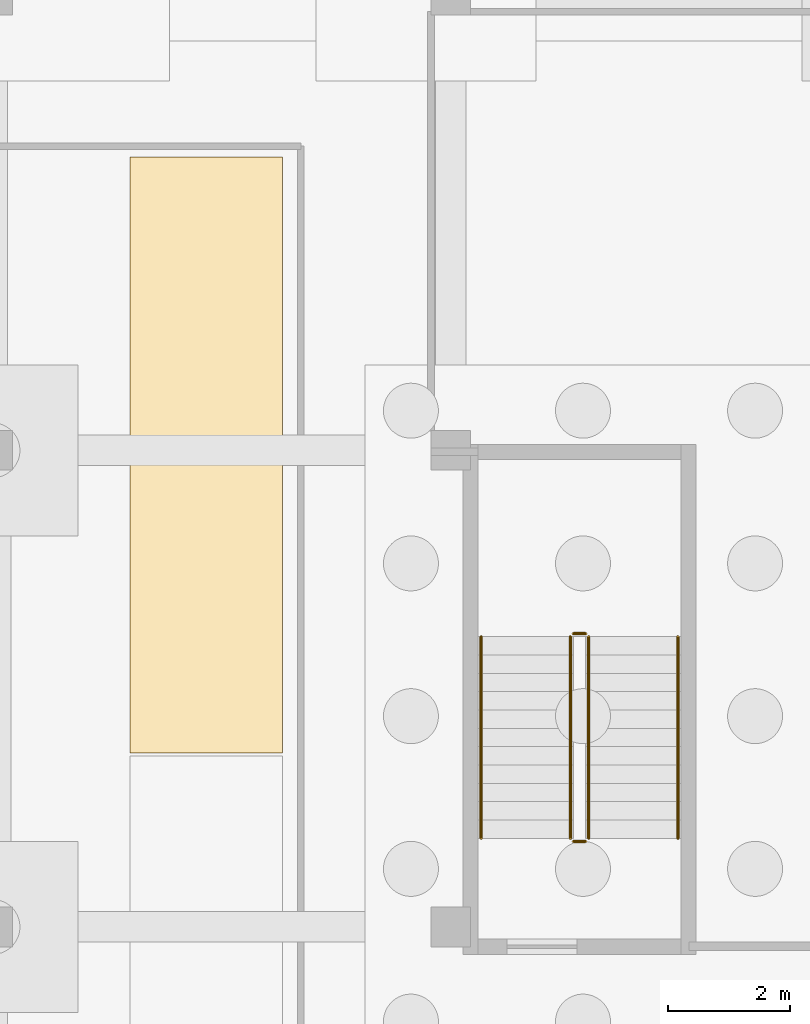
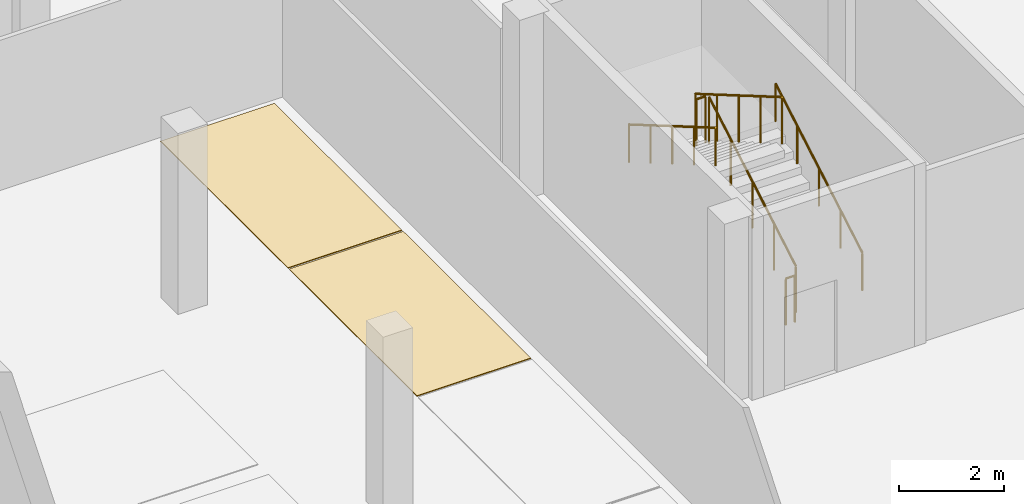
# One storey, part 17 of 21: 6 railings, 2 coverings.
"""IFC4 building model written with IfcOpenShell, lengths in metres."""

from ifc_helpers import new_model, si_unit, direction, frame, origin, origin_2d, place, context, subcontext, project, spatial, polyline, circle, outline, extrude, material, layer, layer_set, type_object, element, save


model = new_model("IFC4")

# Units and contexts
model_context = context("Model", 3, precision=1e-05, world=origin(), true_north=direction((0.0, 1.0)))
body_context = subcontext(model_context, "Body", "Model", "MODEL_VIEW")
ifc_project = project(units=[si_unit("LENGTHUNIT", "METRE"), si_unit("AREAUNIT", "SQUARE_METRE"), si_unit("VOLUMEUNIT", "CUBIC_METRE"), si_unit("PLANEANGLEUNIT", "RADIAN"), si_unit("MASSUNIT", "GRAM", prefix="KILO")], contexts=[model_context])

# Site, building, storey
site_placement = place(None, origin())
site = spatial("IfcSite", under=ifc_project, at=site_placement, CompositionType="ELEMENT")
building_placement = place(site_placement, origin())
building = spatial("IfcBuilding", under=site, at=building_placement, Name="Quillay Park Conservatory", CompositionType="ELEMENT")
storey_placement = place(building_placement, frame((0.0, 0.0, -8.39990234375)))
storey = spatial("IfcBuildingStorey", under=building, at=storey_placement, Name="B2", CompositionType="ELEMENT", Elevation=-8.39990234375)

# Coverings
ifc_material_1 = material(Name="Seamless Chemical-Resistant Epoxy Flooring")
ifc_layer = layer(ifc_material_1, 0.02001953125)
ifc_layer_set = layer_set([ifc_layer], Name="PARKING BAY MARKING 20 (Seamless Chemical-Resistant Epoxy Flooring)")
covering_type = type_object("IfcCoveringType", Name="PARKING BAY MARKING 20", PredefinedType="FLOORING", material=ifc_layer_set)
covering_1_placement = place(storey_placement, origin())
element("IfcCovering", 1, at=covering_1_placement, inside=storey, type_object=covering_type, Name="B2 Parking Bay Marking B2-P15", PredefinedType="FLOORING", context=body_context, shape_type="SweptSolid", body=[
    extrude(outline(polyline([(9.75, 41.85009765625), (12.25, 41.85009765625), (12.25, 46.699951171875), (9.75, 46.699951171875), (9.75, 41.85009765625)])), origin(), (0.0, 0.0, 1.0), 0.02001953125),
])
covering_2_placement = place(storey_placement, origin())
element("IfcCovering", 2, at=covering_2_placement, inside=storey, type_object=covering_type, Name="B2 Parking Bay Marking B2-P16", PredefinedType="FLOORING", context=body_context, shape_type="SweptSolid", body=[
    extrude(outline(polyline([(9.75, 46.75), (12.25, 46.75), (12.25, 51.60009765625), (9.75, 51.60009765625), (9.75, 46.75)])), origin(), (0.0, 0.0, 1.0), 0.02001953125),
])

# Railings
ifc_material_2 = material(Name="Steel S355J2H", Category="steel")
railing_type_1 = type_object("IfcRailingType", Name="STAIR WALL HANDRAIL 900", PredefinedType="HANDRAIL", material=ifc_material_2)
railing_1_placement = place(storey_placement, frame((18.719970703125, 40.449951171875, 0.1748046875)))
element("IfcRailing", 3, at=railing_1_placement, inside=storey, type_object=railing_type_1, Name="B2 ST-V2 stair handrail 1", PredefinedType="HANDRAIL", context=body_context, shape_type="SweptSolid", body=[
    extrude(circle(Radius=0.02392578125, at=origin_2d()), frame((0.0, 0.0, 0.8759765625), z_axis=(0.0, 0.863776583165, 0.503874998761), x_axis=(-1.0, 0.0, 0.0)), (0.0, 0.0, 1.0), 3.820556640625),
    extrude(circle(Radius=0.02099609375, at=origin_2d()), origin(), (0.0, 0.0, 1.0), 0.851806640625),
    extrude(circle(Radius=0.02099609375, at=origin_2d()), frame((0.0, 0.824951171875, 0.481201171875)), (0.0, 0.0, 1.0), 0.851806640625),
    extrude(circle(Radius=0.02099609375, at=origin_2d()), frame((0.0, 1.64990234375, 0.96240234375)), (0.0, 0.0, 1.0), 0.851806640625),
    extrude(circle(Radius=0.02099609375, at=origin_2d()), frame((0.0, 2.47509765625, 1.44384765625)), (0.0, 0.0, 1.0), 0.851806640625),
    extrude(circle(Radius=0.02099609375, at=origin_2d()), frame((0.0, 3.300048828125, 1.925048828125)), (0.0, 0.0, 1.0), 0.851806640625),
])
railing_2_placement = place(storey_placement, frame((15.5, 43.75, 2.27490234375)))
element("IfcRailing", 4, at=railing_2_placement, inside=storey, type_object=railing_type_1, Name="B2 ST-V2 stair handrail 2", PredefinedType="HANDRAIL", context=body_context, shape_type="SweptSolid", body=[
    extrude(circle(Radius=0.02392578125, at=origin_2d()), frame((0.0, 0.0, 0.8759765625), z_axis=(0.0, -0.863776583165, 0.503874998761), x_axis=(1.0, 0.0, 0.0)), (0.0, 0.0, 1.0), 3.820556640625),
    extrude(circle(Radius=0.02099609375, at=origin_2d()), origin(), (0.0, 0.0, 1.0), 0.851806640625),
    extrude(circle(Radius=0.02099609375, at=origin_2d()), frame((0.0, -0.824951171875, 0.481201171875)), (0.0, 0.0, 1.0), 0.851806640625),
    extrude(circle(Radius=0.02099609375, at=origin_2d()), frame((0.0, -1.64990234375, 0.96240234375)), (0.0, 0.0, 1.0), 0.851806640625),
    extrude(circle(Radius=0.02099609375, at=origin_2d()), frame((0.0, -2.47509765625, 1.44384765625)), (0.0, 0.0, 1.0), 0.851806640625),
    extrude(circle(Radius=0.02099609375, at=origin_2d()), frame((0.0, -3.300048828125, 1.925048828125)), (0.0, 0.0, 1.0), 0.851806640625),
])
ifc_material_3 = material(Name="Steel S355J2H", Category="steel")
railing_type_2 = type_object("IfcRailingType", Name="STAIR WELL GUARDRAIL 1100", PredefinedType="GUARDRAIL", material=ifc_material_3)
railing_3_placement = place(storey_placement, frame((17.260009765625, 40.449951171875, 0.1748046875)))
element("IfcRailing", 5, at=railing_3_placement, inside=storey, type_object=railing_type_2, Name="B2 ST-V2 stair guard 1", PredefinedType="GUARDRAIL", context=body_context, shape_type="SweptSolid", body=[
    extrude(circle(Radius=0.02392578125, at=origin_2d()), frame((0.0, 0.0, 1.076171875), z_axis=(0.0, 0.863776583165, 0.503874998761), x_axis=(-1.0, 0.0, 0.0)), (0.0, 0.0, 1.0), 3.820556640625),
    extrude(circle(Radius=0.02099609375, at=origin_2d()), origin(), (0.0, 0.0, 1.0), 1.052001953125),
    extrude(circle(Radius=0.02099609375, at=origin_2d()), frame((0.0, 0.824951171875, 0.481201171875)), (0.0, 0.0, 1.0), 1.052001953125),
    extrude(circle(Radius=0.02099609375, at=origin_2d()), frame((0.0, 1.64990234375, 0.96240234375)), (0.0, 0.0, 1.0), 1.052001953125),
    extrude(circle(Radius=0.02099609375, at=origin_2d()), frame((0.0, 2.47509765625, 1.44384765625)), (0.0, 0.0, 1.0), 1.052001953125),
    extrude(circle(Radius=0.02099609375, at=origin_2d()), frame((0.0, 3.300048828125, 1.925048828125)), (0.0, 0.0, 1.0), 1.052001953125),
])
railing_4_placement = place(storey_placement, frame((17.2099609375, 43.800048828125, 2.099853515625)))
element("IfcRailing", 6, at=railing_4_placement, inside=storey, type_object=railing_type_2, Name="B2 ST-V2 stair guard 2", PredefinedType="GUARDRAIL", context=body_context, shape_type="SweptSolid", body=[
    extrude(circle(Radius=0.02392578125, at=origin_2d()), frame((0.0, 0.0, 1.076171875), z_axis=(-1.0, 0.0, 0.0), x_axis=(0.0, -1.0, 0.0)), (0.0, 0.0, 1.0), 0.199951171875),
    extrude(circle(Radius=0.02099609375, at=origin_2d()), origin(), (0.0, 0.0, 1.0), 1.052001953125),
    extrude(circle(Radius=0.02099609375, at=origin_2d()), frame((-0.199951171875, 0.0, 0.0)), (0.0, 0.0, 1.0), 1.052001953125),
])
railing_5_placement = place(storey_placement, frame((16.9599609375, 43.75, 2.27490234375)))
element("IfcRailing", 7, at=railing_5_placement, inside=storey, type_object=railing_type_2, Name="B2 ST-V2 stair guard 3", PredefinedType="GUARDRAIL", context=body_context, shape_type="SweptSolid", body=[
    extrude(circle(Radius=0.02392578125, at=origin_2d()), frame((0.0, 0.0, 1.076171875), z_axis=(0.0, -0.863776583165, 0.503874998761), x_axis=(1.0, 0.0, 0.0)), (0.0, 0.0, 1.0), 3.820556640625),
    extrude(circle(Radius=0.02099609375, at=origin_2d()), origin(), (0.0, 0.0, 1.0), 1.052001953125),
    extrude(circle(Radius=0.02099609375, at=origin_2d()), frame((0.0, -0.824951171875, 0.481201171875)), (0.0, 0.0, 1.0), 1.052001953125),
    extrude(circle(Radius=0.02099609375, at=origin_2d()), frame((0.0, -1.64990234375, 0.96240234375)), (0.0, 0.0, 1.0), 1.052001953125),
    extrude(circle(Radius=0.02099609375, at=origin_2d()), frame((0.0, -2.47509765625, 1.44384765625)), (0.0, 0.0, 1.0), 1.052001953125),
    extrude(circle(Radius=0.02099609375, at=origin_2d()), frame((0.0, -3.300048828125, 1.925048828125)), (0.0, 0.0, 1.0), 1.052001953125),
])
railing_6_placement = place(storey_placement, frame((17.2099609375, 40.39990234375, 0.0)))
element("IfcRailing", 8, at=railing_6_placement, inside=storey, type_object=railing_type_2, Name="B2 ST-V2 stair guard 4", PredefinedType="GUARDRAIL", context=body_context, shape_type="SweptSolid", body=[
    extrude(circle(Radius=0.02392578125, at=origin_2d()), frame((0.0, 0.0, 1.076171875), z_axis=(-1.0, 0.0, 0.0), x_axis=(0.0, -1.0, 0.0)), (0.0, 0.0, 1.0), 0.199951171875),
    extrude(circle(Radius=0.02099609375, at=origin_2d()), origin(), (0.0, 0.0, 1.0), 1.052001953125),
    extrude(circle(Radius=0.02099609375, at=origin_2d()), frame((-0.199951171875, 0.0, 0.0)), (0.0, 0.0, 1.0), 1.052001953125),
])

save(model, "model.ifc")
